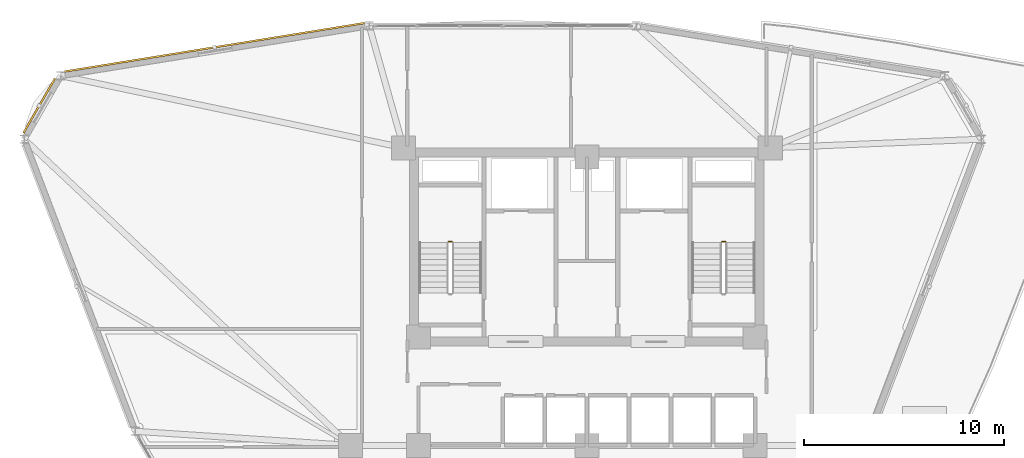
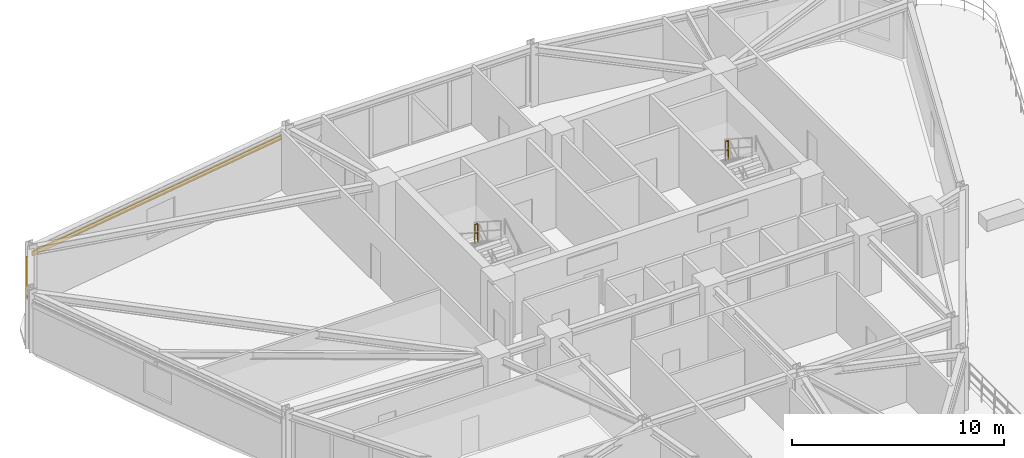
# One storey, part 17 of 18: 2 railings, 2 shading devices.
"""IFC4 building model written with IfcOpenShell, lengths in metres."""

from ifc_helpers import new_model, si_unit, derived_unit, direction, frame, origin, origin_2d, place, context, subcontext, project, spatial, hollow_rectangle, circle, extrude, source, transform, mapped, material, material_profile, profile_set, type_object, element, save


model = new_model("IFC4")

# Units and contexts
model_context = context("Model", 3, precision=1e-05, world=origin(), true_north=direction((0.0, 1.0)))
body_context = subcontext(model_context, "Body", "Model", "MODEL_VIEW")
ifc_project = project(units=[si_unit("LENGTHUNIT", "METRE"), si_unit("AREAUNIT", "SQUARE_METRE"), si_unit("VOLUMEUNIT", "CUBIC_METRE"), si_unit("PLANEANGLEUNIT", "RADIAN"), si_unit("MASSUNIT", "GRAM", prefix="KILO"), derived_unit("THERMALTRANSMITTANCEUNIT", [(si_unit("POWERUNIT", "WATT"), 1), (si_unit("LENGTHUNIT", "METRE"), -2), (si_unit("THERMODYNAMICTEMPERATUREUNIT", "KELVIN"), -1)])], contexts=[model_context])

# Site, building, storey
site_placement = place(None, origin())
site = spatial("IfcSite", under=ifc_project, at=site_placement, CompositionType="ELEMENT")
building_placement = place(site_placement, origin())
building = spatial("IfcBuilding", under=site, at=building_placement, Name="Korsvarv Bourse and Concert Hall", CompositionType="ELEMENT")
storey_placement = place(building_placement, frame((0.0, 0.0, 136.199951171875)))
storey = spatial("IfcBuildingStorey", under=building, at=storey_placement, Name="L34", CompositionType="ELEMENT", Elevation=136.199951171875)

# Railings
ifc_material_1 = material(Name="Painted Steel S355 stair well guardrail", Category="steel")
railing_type = type_object("IfcRailingType", Name="RL-ST-GRD", PredefinedType="GUARDRAIL", material=ifc_material_1)
for number, where, name in (
    (1, (29.260009765625, 42.570068359375, 1.800048828125), "L34 ST-T1 stair guard 2"),
    (2, (42.89990234375, 42.570068359375, 1.800048828125), "L34 ST-T2 stair guard 2"),
):
    element("IfcRailing", number, at=place(storey_placement, frame(where)), inside=storey, type_object=railing_type, Name=name, PredefinedType="GUARDRAIL", context=body_context, shape_type="SweptSolid", body=[
        extrude(circle(Radius=0.02392578125, at=origin_2d()), frame((0.0, 0.0, 1.076171875), z_axis=(-1.0, 0.0, 0.0), x_axis=(0.0, -1.0, 0.0)), (0.0, 0.0, 1.0), 0.159912109375),
        extrude(circle(Radius=0.02392578125, at=origin_2d()), frame((0.0, 0.0, 0.550048828125), z_axis=(-1.0, 0.0, 0.0), x_axis=(0.0, -1.0, 0.0)), (0.0, 0.0, 1.0), 0.159912109375),
        extrude(circle(Radius=0.02099609375, at=origin_2d()), origin(), (0.0, 0.0, 1.0), 1.052001953125),
        extrude(circle(Radius=0.02099609375, at=origin_2d()), frame((-0.159912109375, 0.0, 0.0)), (0.0, 0.0, 1.0), 1.052001953125),
    ])

# Shading devices
ifc_material_2 = material(Name="Glazed extruded architectural terracotta", Category="ceramic")
ifc_material_profile = material_profile(ifc_material_2, hollow_rectangle(XDim=0.090087890625, YDim=0.260009765625, WallThickness=0.011962890625, at=origin_2d()), Name="TC-BAG 90x260")
ifc_profile_set = profile_set([ifc_material_profile], Name="Glazed extruded architectural terracotta")
shading_device_type = type_object("IfcShadingDeviceType", Name="SHD-BAG-1", PredefinedType="USERDEFINED", material=ifc_profile_set)
shared_shape_1 = source(origin(), body_context, "Body", "SweptSolid", [
    extrude(hollow_rectangle(XDim=0.090087890625, YDim=0.260009765625, WallThickness=0.011962890625, at=origin_2d()), origin(), (0.0, 0.0, 1.0), 3.1455078125),
])
shading_device_1_placement = place(storey_placement, frame((9.454833984375, 50.717041015625, 2.840087890625), z_axis=(-0.499995674689, -0.86602790099, 0.0), x_axis=(0.86602790099, -0.499995674689, 0.0)))
element("IfcShadingDevice", 3, at=shading_device_1_placement, inside=storey, type_object=shading_device_type, Name="L34 terracotta baguette sunshade EW-L34-B05", ObjectType="BAGUETTE", PredefinedType="USERDEFINED", context=body_context, shape_type="MappedRepresentation", body=[
    mapped(shared_shape_1, transform((0.0, 0.0, 0.0), scale=1.0)),
])
shared_shape_2 = source(origin(), body_context, "Body", "SweptSolid", [
    extrude(hollow_rectangle(XDim=0.090087890625, YDim=0.260009765625, WallThickness=0.011962890625, at=origin_2d()), origin(), (0.0, 0.0, 1.0), 15.16552734375),
])
shading_device_2_placement = place(storey_placement, frame((24.8974609375, 53.4755859375, 2.7900390625), z_axis=(-0.987168854166, -0.159679846455, 0.0), x_axis=(0.159679846455, -0.987168854166, 0.0)))
element("IfcShadingDevice", 4, at=shading_device_2_placement, inside=storey, type_object=shading_device_type, Name="L34 terracotta baguette sunshade EW-L34-B04", ObjectType="BAGUETTE", PredefinedType="USERDEFINED", context=body_context, shape_type="MappedRepresentation", body=[
    mapped(shared_shape_2, transform((0.0, 0.0, 0.0), scale=1.0)),
])

save(model, "model.ifc")
